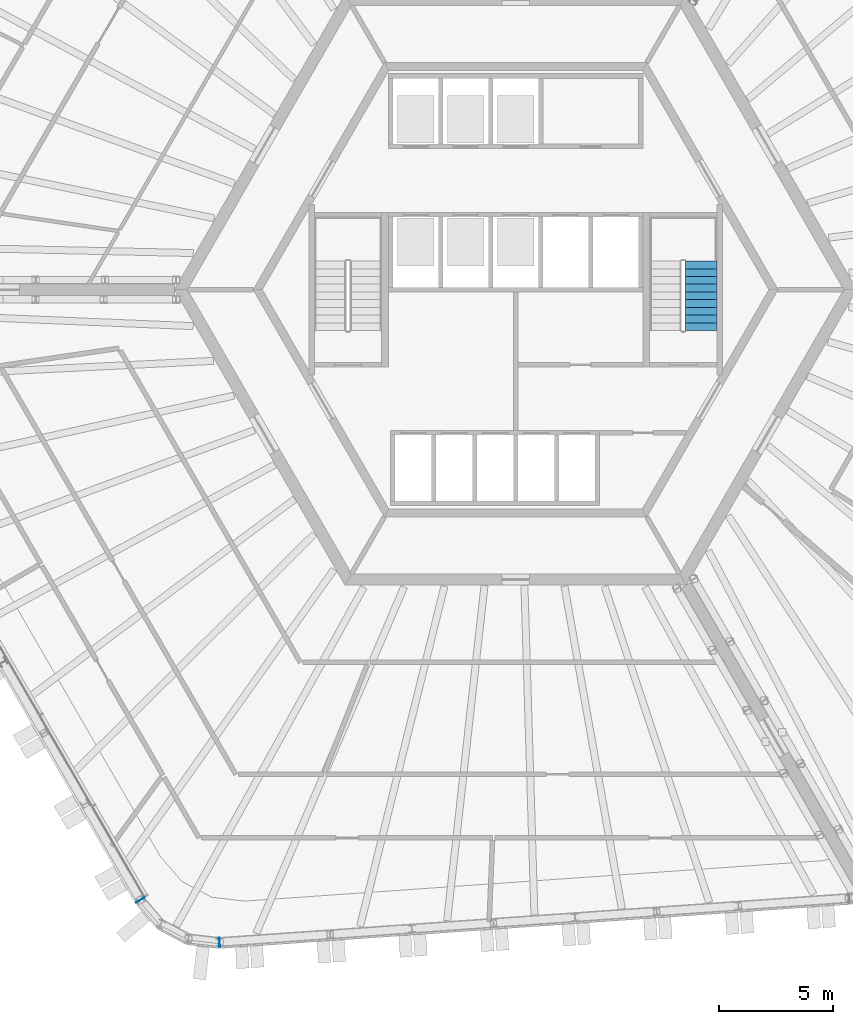
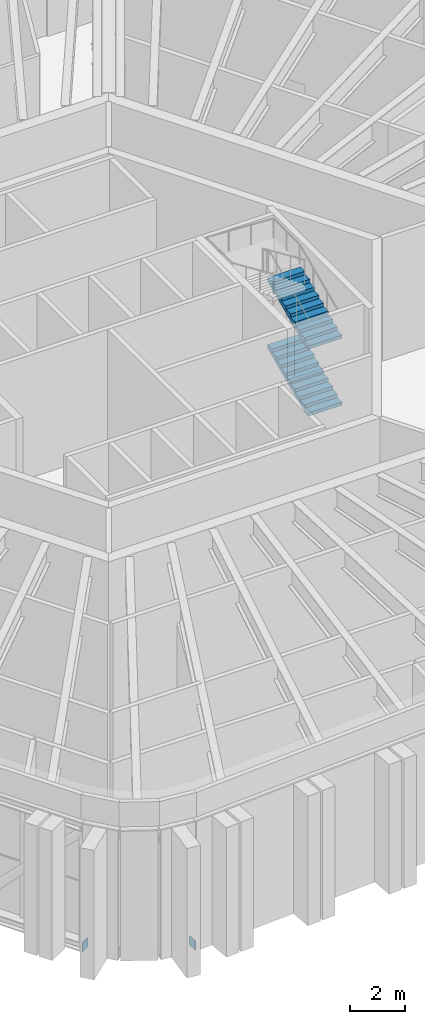
# One storey, part 16 of 24: 2 discrete accessories, 2 stair flights, 1 element without a shape of its own.
"""IFC4 building model written with IfcOpenShell, lengths in metres."""

from ifc_helpers import new_model, si_unit, direction, frame, origin, origin_2d, place, context, subcontext, project, spatial, polyline, rectangle, outline, extrude, material, type_object, element, aggregate, save


model = new_model("IFC4")

# Units and contexts
model_context = context("Model", 3, precision=1e-05, world=origin(), true_north=direction((0.0, 1.0)))
body_context = subcontext(model_context, "Body", "Model", "MODEL_VIEW")
ifc_project = project(units=[si_unit("LENGTHUNIT", "METRE"), si_unit("AREAUNIT", "SQUARE_METRE"), si_unit("VOLUMEUNIT", "CUBIC_METRE"), si_unit("PLANEANGLEUNIT", "RADIAN"), si_unit("MASSUNIT", "GRAM", prefix="KILO")], contexts=[model_context])

# Site, building, storey
site_placement = place(None, origin())
site = spatial("IfcSite", under=ifc_project, at=site_placement, CompositionType="ELEMENT")
building_placement = place(site_placement, origin())
building = spatial("IfcBuilding", under=site, at=building_placement, Name="Tarnside Tower", CompositionType="ELEMENT")
storey_placement = place(building_placement, frame((0.0, 0.0, 250.199951171875)))
storey = spatial("IfcBuildingStorey", under=building, at=storey_placement, Name="L60", CompositionType="ELEMENT", Elevation=250.199951171875)

# Stair, stair flights
ifc_material_1 = material(Name="Concrete C40/50", Category="concrete")
stair_type = type_object("IfcStairType", Name="Exit stair 1400 clear", PredefinedType="HALF_TURN_STAIR", material=ifc_material_1)
stair_placement = place(storey_placement, origin())
stair = element("IfcStair", 1, at=stair_placement, inside=storey, type_object=stair_type, Name="L60 Exit stair 1", PredefinedType="HALF_TURN_STAIR")
stair_flight_type = type_object("IfcStairFlightType", Name="Exit stair flight 1400", PredefinedType="STRAIGHT", material=ifc_material_1)
stair_flight_1_placement = place(storey_placement, frame((8.14990234375, -1.800048828125, 0.0), z_axis=(0.0, 0.0, 1.0), x_axis=(0.0, 1.0, 0.0)))
stair_flight_1 = element("IfcStairFlight", 2, at=stair_flight_1_placement, type_object=stair_flight_type, Name="ST1 flight 1", NumberOfRisers=10, NumberOfTreads=9, PredefinedType="STRAIGHT", RiserHeight=0.15, TreadLength=0.34, context=body_context, shape_type="SweptSolid", body=[
    extrude(outline(polyline([(0.0, 0.0), (0.0, 0.14990234375), (0.340087890625, 0.14990234375), (0.340087890625, 0.300048828125), (0.679931640625, 0.300048828125), (0.679931640625, 0.449951171875), (1.02001953125, 0.449951171875), (1.02001953125, 0.60009765625), (1.360107421875, 0.60009765625), (1.360107421875, 0.75), (1.699951171875, 0.75), (1.699951171875, 0.89990234375), (2.0400390625, 0.89990234375), (2.0400390625, 1.050048828125), (2.3798828125, 1.050048828125), (2.3798828125, 1.199951171875), (2.719970703125, 1.199951171875), (2.719970703125, 1.35009765625), (3.06005859375, 1.35009765625), (3.06005859375, 1.5), (3.06005859375, 1.186279296875), (0.371337890625, 0.0), (0.0, 0.0)])), frame((0.0, 0.699951171875, 0.0), z_axis=(0.0, -1.0, 0.0), x_axis=(1.0, 0.0, 0.0)), (0.0, 0.0, 1.0), 1.39990234375),
])
stair_flight_2_placement = place(storey_placement, frame((8.14990234375, -1.800048828125, 3.0), z_axis=(0.0, 0.0, 1.0), x_axis=(0.0, 1.0, 0.0)))
stair_flight_2 = element("IfcStairFlight", 3, at=stair_flight_2_placement, type_object=stair_flight_type, Name="ST1 flight 3", NumberOfRisers=10, NumberOfTreads=9, PredefinedType="STRAIGHT", RiserHeight=0.15, TreadLength=0.34, context=body_context, shape_type="SweptSolid", body=[
    extrude(outline(polyline([(0.0, 0.0), (0.0, 0.14990234375), (0.340087890625, 0.14990234375), (0.340087890625, 0.300048828125), (0.679931640625, 0.300048828125), (0.679931640625, 0.449951171875), (1.02001953125, 0.449951171875), (1.02001953125, 0.60009765625), (1.360107421875, 0.60009765625), (1.360107421875, 0.75), (1.699951171875, 0.75), (1.699951171875, 0.89990234375), (2.0400390625, 0.89990234375), (2.0400390625, 1.050048828125), (2.3798828125, 1.050048828125), (2.3798828125, 1.199951171875), (2.719970703125, 1.199951171875), (2.719970703125, 1.35009765625), (3.06005859375, 1.35009765625), (3.06005859375, 1.5), (3.06005859375, 1.186279296875), (0.371337890625, 0.0), (0.0, 0.0)])), frame((0.0, 0.699951171875, 0.0), z_axis=(0.0, -1.0, 0.0), x_axis=(1.0, 0.0, 0.0)), (0.0, 0.0, 1.0), 1.39990234375),
])
aggregate(stair, [stair_flight_1, stair_flight_2])

# Discrete accessories
ifc_material_2 = material(Name="Steel S355", Category="steel")
discrete_accessory_type = type_object("IfcDiscreteAccessoryType", Name="Cast-in plate L60 belt truss chord end", PredefinedType="USERDEFINED", material=ifc_material_2)
for number, where, z_axis, x_axis, name in (
    (4, (-16.51220703125, -26.85009765625, -0.2998046875), (0.0, 0.0, 1.0), (0.5, -0.866025403784, 0.0), "Cast-in plate run L60 B"),
    (5, (-13.0263671875, -28.70361328125, -0.2998046875), (0.0, 0.0, 1.0), (0.99756405026, 0.069756473744, 0.0), "Cast-in plate run L60 A"),
):
    element("IfcDiscreteAccessory", number, at=place(storey_placement, frame(where, z_axis=z_axis, x_axis=x_axis)), inside=storey, type_object=discrete_accessory_type, Name=name, ObjectType="Cast-in plate", PredefinedType="USERDEFINED", context=body_context, shape_type="SweptSolid", body=[
        extrude(rectangle(XDim=0.030029296875, YDim=0.403076171875, at=origin_2d()), origin(), (0.0, 0.0, 1.0), 0.406494140625),
    ])

save(model, "model.ifc")
